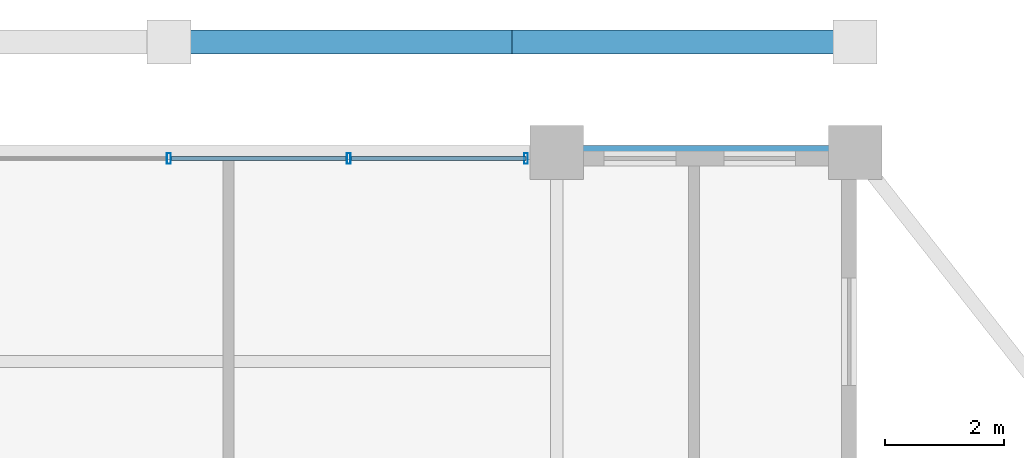
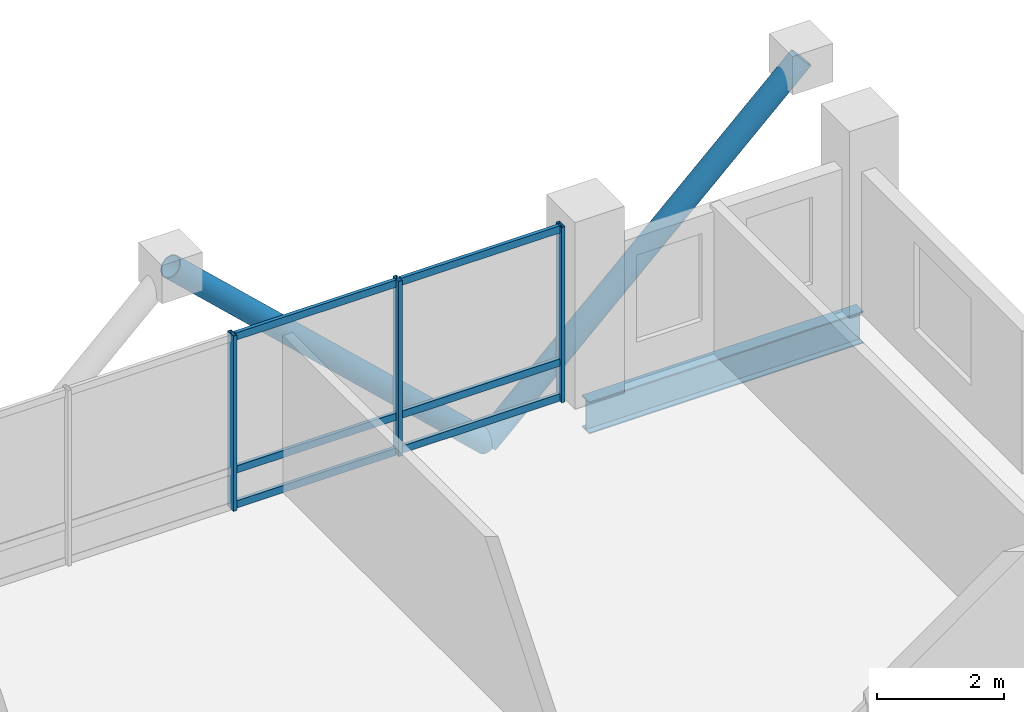
# One storey, part 16 of 22: 11 members, 1 beam, 1 element without a shape of its own.
"""IFC4 building model written with IfcOpenShell, lengths in metres."""

from ifc_helpers import new_model, si_unit, direction, frame, origin, origin_2d, place, context, subcontext, project, spatial, hollow_rectangle, hollow_circle, i_section, extrude, material, layer, layer_set, material_profile, profile_set, type_object, element, aggregate, save


model = new_model("IFC4")

# Units and contexts
model_context = context("Model", 3, precision=1e-05, world=origin(), true_north=direction((0.0, 1.0)))
body_context = subcontext(model_context, "Body", "Model", "MODEL_VIEW")
ifc_project = project(units=[si_unit("LENGTHUNIT", "METRE"), si_unit("AREAUNIT", "SQUARE_METRE"), si_unit("VOLUMEUNIT", "CUBIC_METRE"), si_unit("PLANEANGLEUNIT", "RADIAN"), si_unit("MASSUNIT", "GRAM", prefix="KILO")], contexts=[model_context])

# Site, building, storey
site_placement = place(None, origin())
site = spatial("IfcSite", under=ifc_project, at=site_placement, CompositionType="ELEMENT")
building_placement = place(site_placement, origin())
building = spatial("IfcBuilding", under=site, at=building_placement, Name="Barlavira Tower and Art Museum", CompositionType="ELEMENT")
storey_placement = place(building_placement, frame((0.0, 0.0, 258.300048828125)))
storey = spatial("IfcBuildingStorey", under=building, at=storey_placement, Name="L67", CompositionType="ELEMENT", Elevation=258.300048828125)

# Curtain wall, members
ifc_material_1 = material(Name="Low-iron coastal laminated glass", Category="glass")
ifc_layer = layer(ifc_material_1, 0.2099609375, Name="Low-iron coastal laminated glass")
ifc_layer_set = layer_set([ifc_layer], Name="Low-iron coastal laminated glass")
curtain_wall_type = type_object("IfcCurtainWallType", Name="Pale-Metal Unitised Curtain Wall Zone 4", PredefinedType="NOTDEFINED", material=ifc_layer_set)
curtain_wall_placement = place(storey_placement, origin())
curtain_wall = element("IfcCurtainWall", 1, at=curtain_wall_placement, inside=storey, type_object=curtain_wall_type, Name="L67 Curtain Wall CW4-L67-N-B2", PredefinedType="NOTDEFINED")
ifc_material_2 = material(Name="Pale anodised aluminium", Category="aluminium")
ifc_material_profile_1 = material_profile(ifc_material_2, hollow_rectangle(XDim=0.06494140625, YDim=0.179931640625, WallThickness=0.00390625, at=origin_2d()), Name="ALU-MULL 65x180x4")
ifc_profile_set_1 = profile_set([ifc_material_profile_1], Name="Pale anodised aluminium")
member_type_1 = type_object("IfcMemberType", Name="Curtain Wall Pale-Metal Mullion 65x180", PredefinedType="MULLION", material=ifc_profile_set_1)
member_1_placement = place(storey_placement, frame((5.985107421875, 19.89990234375, 0.0), z_axis=(0.0, 0.0, 1.0), x_axis=(-1.0, 0.0, 0.0)))
member_1 = element("IfcMember", 2, at=member_1_placement, type_object=member_type_1, Name="CW4-L67-N-B2 Mullion 0", PredefinedType="MULLION", context=body_context, shape_type="SweptSolid", body=[
    extrude(hollow_rectangle(XDim=0.06494140625, YDim=0.179931640625, WallThickness=0.00390625, at=origin_2d()), origin(), (0.0, 0.0, 1.0), 3.3798828125),
])
member_2_placement = place(storey_placement, frame((3.014892578125, 19.89990234375, 0.0), z_axis=(0.0, 0.0, 1.0), x_axis=(-1.0, 0.0, 0.0)))
member_2 = element("IfcMember", 3, at=member_2_placement, type_object=member_type_1, Name="CW4-L67-N-B2 Mullion 1", PredefinedType="MULLION", context=body_context, shape_type="SweptSolid", body=[
    extrude(hollow_rectangle(XDim=0.06494140625, YDim=0.179931640625, WallThickness=0.00390625, at=origin_2d()), origin(), (0.0, 0.0, 1.0), 3.3798828125),
])
member_3_placement = place(storey_placement, frame((0.0, 19.89990234375, 0.0), z_axis=(0.0, 0.0, 1.0), x_axis=(-1.0, 0.0, 0.0)))
member_3 = element("IfcMember", 4, at=member_3_placement, type_object=member_type_1, Name="CW4-L67-N-B2 Mullion 2", PredefinedType="MULLION", context=body_context, shape_type="SweptSolid", body=[
    extrude(hollow_rectangle(XDim=0.06494140625, YDim=0.179931640625, WallThickness=0.00390625, at=origin_2d()), origin(), (0.0, 0.0, 1.0), 3.3798828125),
])
ifc_material_profile_2 = material_profile(ifc_material_2, hollow_rectangle(XDim=0.06494140625, YDim=0.139892578125, WallThickness=0.00390625, at=origin_2d()), Name="ALU-TRAN 65x140x4")
ifc_profile_set_2 = profile_set([ifc_material_profile_2], Name="Pale anodised aluminium")
member_type_2 = type_object("IfcMemberType", Name="Curtain Wall Pale-Metal Transom 65x140", PredefinedType="USERDEFINED", material=ifc_profile_set_2)
member_4_placement = place(storey_placement, frame((5.985107421875, 19.89990234375, 0.070068359375), z_axis=(-1.0, 0.0, 0.0), x_axis=(0.0, -1.0, 0.0)))
member_4 = element("IfcMember", 5, at=member_4_placement, type_object=member_type_2, Name="CW4-L67-N-B2 Transom 0.1", ObjectType="TRANSOM", PredefinedType="USERDEFINED", context=body_context, shape_type="SweptSolid", body=[
    extrude(hollow_rectangle(XDim=0.06494140625, YDim=0.139892578125, WallThickness=0.00390625, at=origin_2d()), origin(), (0.0, 0.0, 1.0), 2.925048828125),
])
member_5_placement = place(storey_placement, frame((5.985107421875, 19.89990234375, 0.743896484375), z_axis=(-1.0, 0.0, 0.0), x_axis=(0.0, -1.0, 0.0)))
member_5 = element("IfcMember", 6, at=member_5_placement, type_object=member_type_2, Name="CW4-L67-N-B2 Transom 0.2", ObjectType="TRANSOM", PredefinedType="USERDEFINED", context=body_context, shape_type="SweptSolid", body=[
    extrude(hollow_rectangle(XDim=0.06494140625, YDim=0.139892578125, WallThickness=0.00390625, at=origin_2d()), origin(), (0.0, 0.0, 1.0), 2.925048828125),
])
member_6_placement = place(storey_placement, frame((5.985107421875, 19.89990234375, 3.31005859375), z_axis=(-1.0, 0.0, 0.0), x_axis=(0.0, -1.0, 0.0)))
member_6 = element("IfcMember", 7, at=member_6_placement, type_object=member_type_2, Name="CW4-L67-N-B2 Transom 0.3", ObjectType="TRANSOM", PredefinedType="USERDEFINED", context=body_context, shape_type="SweptSolid", body=[
    extrude(hollow_rectangle(XDim=0.06494140625, YDim=0.139892578125, WallThickness=0.00390625, at=origin_2d()), origin(), (0.0, 0.0, 1.0), 2.925048828125),
])
member_7_placement = place(storey_placement, frame((2.969970703125, 19.89990234375, 0.070068359375), z_axis=(-1.0, 0.0, 0.0), x_axis=(0.0, -1.0, 0.0)))
member_7 = element("IfcMember", 8, at=member_7_placement, type_object=member_type_2, Name="CW4-L67-N-B2 Transom 1.1", ObjectType="TRANSOM", PredefinedType="USERDEFINED", context=body_context, shape_type="SweptSolid", body=[
    extrude(hollow_rectangle(XDim=0.06494140625, YDim=0.139892578125, WallThickness=0.00390625, at=origin_2d()), origin(), (0.0, 0.0, 1.0), 2.925048828125),
])
member_8_placement = place(storey_placement, frame((2.969970703125, 19.89990234375, 0.743896484375), z_axis=(-1.0, 0.0, 0.0), x_axis=(0.0, -1.0, 0.0)))
member_8 = element("IfcMember", 9, at=member_8_placement, type_object=member_type_2, Name="CW4-L67-N-B2 Transom 1.2", ObjectType="TRANSOM", PredefinedType="USERDEFINED", context=body_context, shape_type="SweptSolid", body=[
    extrude(hollow_rectangle(XDim=0.06494140625, YDim=0.139892578125, WallThickness=0.00390625, at=origin_2d()), origin(), (0.0, 0.0, 1.0), 2.925048828125),
])
member_9_placement = place(storey_placement, frame((2.969970703125, 19.89990234375, 3.31005859375), z_axis=(-1.0, 0.0, 0.0), x_axis=(0.0, -1.0, 0.0)))
member_9 = element("IfcMember", 10, at=member_9_placement, type_object=member_type_2, Name="CW4-L67-N-B2 Transom 1.3", ObjectType="TRANSOM", PredefinedType="USERDEFINED", context=body_context, shape_type="SweptSolid", body=[
    extrude(hollow_rectangle(XDim=0.06494140625, YDim=0.139892578125, WallThickness=0.00390625, at=origin_2d()), origin(), (0.0, 0.0, 1.0), 2.925048828125),
])
aggregate(curtain_wall, [member_1, member_2, member_3, member_4, member_5, member_6, member_7, member_8, member_9])

# Members
ifc_material_3 = material(Name="Steel S355", Category="steel")
ifc_material_profile_3 = material_profile(ifc_material_3, hollow_circle(Radius=0.203125, WallThickness=0.01611328125, at=origin_2d()), Name="CHS 406.4x16.0")
ifc_profile_set_3 = profile_set([ifc_material_profile_3], Name="Steel S355")
member_type_3 = type_object("IfcMemberType", Name="Pale-Metal Exoskeleton Diagrid Tube CHS 406x16 Steel S355", PredefinedType="BRACE", material=ifc_profile_set_3)
for number, where, z_axis, x_axis, name in (
    (11, (5.75, 21.85009765625, -1.920166015625), (-0.728934650808, 0.0, 0.684583285548), (0.0, -1.0, 0.0), "L67 Exoskeleton Diagrid Tube N"),
    (12, (5.75, 21.85009765625, -1.920166015625), (0.728934650808, 0.0, 0.684583285548), (0.0, 1.0, 0.0), "L67 Exoskeleton Diagrid Tube N"),
):
    element("IfcMember", number, at=place(storey_placement, frame(where, z_axis=z_axis, x_axis=x_axis)), inside=storey, type_object=member_type_3, Name=name, PredefinedType="BRACE", context=body_context, shape_type="SweptSolid", body=[
        extrude(hollow_circle(Radius=0.203125, WallThickness=0.01611328125, at=origin_2d()), origin(), (0.0, 0.0, 1.0), 7.88818359375),
    ])

# Beam
ifc_material_profile_4 = material_profile(ifc_material_3, i_section(OverallWidth=0.22998046875, OverallDepth=0.616943359375, WebThickness=0.01318359375, FlangeThickness=0.022216796875, at=origin_2d()), Name="W610x140.0")
ifc_profile_set_4 = profile_set([ifc_material_profile_4], Name="Steel S355")
beam_type = type_object("IfcBeamType", Name="Upper Shaft Spandrel Edge Beam W610x140 Steel S355", PredefinedType="SPANDREL", material=ifc_profile_set_4)
beam_placement = place(storey_placement, frame((6.5, 20.0, -0.528564453125), z_axis=(1.0, 0.0, 0.0), x_axis=(0.0, 1.0, 0.0)))
element("IfcBeam", 13, at=beam_placement, inside=storey, type_object=beam_type, Name="L67 Spandrel 9", PredefinedType="SPANDREL", context=body_context, shape_type="SweptSolid", body=[
    extrude(i_section(OverallWidth=0.22998046875, OverallDepth=0.616943359375, WebThickness=0.01318359375, FlangeThickness=0.022216796875, at=origin_2d()), origin(), (0.0, 0.0, 1.0), 5.0),
])

save(model, "model.ifc")
